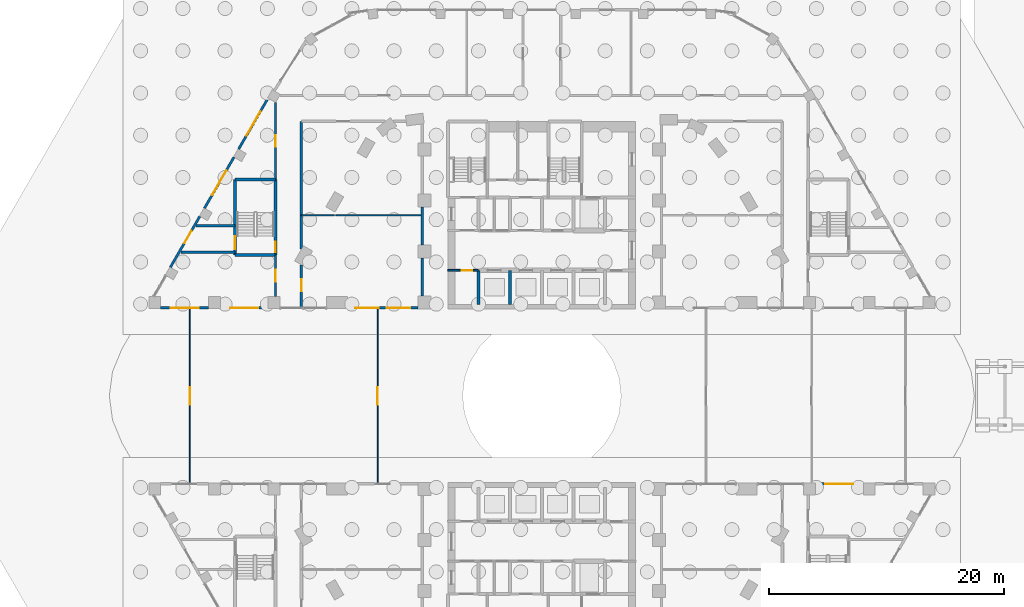
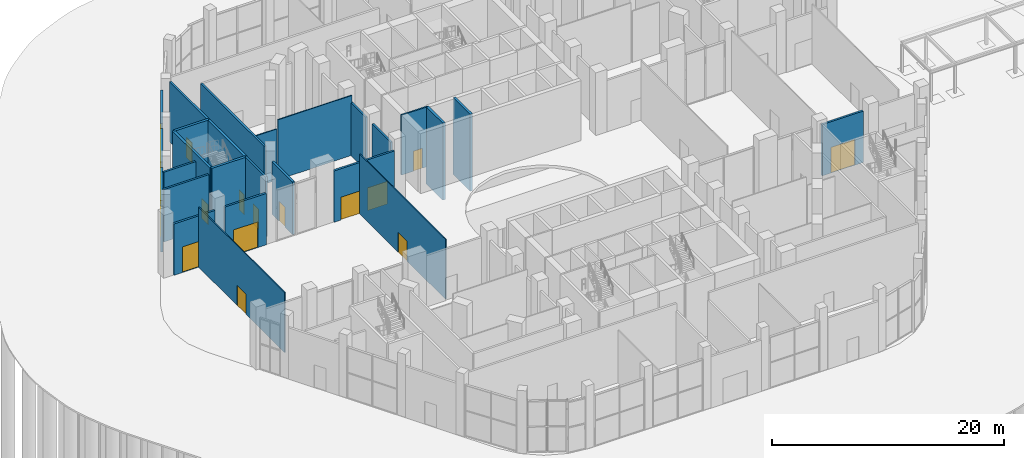
# One storey, part 27 of 44: 26 walls, 16 doors, 16 openings.
"""IFC4 building model written with IfcOpenShell, lengths in metres."""

from ifc_helpers import new_model, si_unit, direction, frame, frame_2d, origin, place, context, subcontext, project, spatial, rectangle, extrude, material, layer, layer_set, type_object, element, fill, save


model = new_model("IFC4")

# Units and contexts
model_context = context("Model", 3, precision=1e-05, world=origin(), true_north=direction((0.0, 1.0)))
body_context = subcontext(model_context, "Body", "Model", "MODEL_VIEW")
ifc_project = project(units=[si_unit("LENGTHUNIT", "METRE"), si_unit("AREAUNIT", "SQUARE_METRE"), si_unit("VOLUMEUNIT", "CUBIC_METRE"), si_unit("PLANEANGLEUNIT", "RADIAN"), si_unit("MASSUNIT", "GRAM", prefix="KILO")], contexts=[model_context])

# Site, building, storey
site_placement = place(None, origin())
site = spatial("IfcSite", under=ifc_project, at=site_placement, CompositionType="ELEMENT")
building_placement = place(site_placement, origin())
building = spatial("IfcBuilding", under=site, at=building_placement, Name="Nakaniwa Court", CompositionType="ELEMENT")
storey_placement = place(building_placement, origin())
storey = spatial("IfcBuildingStorey", under=building, at=storey_placement, Name="L00", CompositionType="ELEMENT", Elevation=0.0)

# Wall, opening, door
ifc_material_1 = material(Name="Acoustic double stud partition")
ifc_layer_1 = layer(ifc_material_1, 0.199951171875)
ifc_layer_set_1 = layer_set([ifc_layer_1], Name="Acoustic double stud partition")
wall_type_1 = type_object("IfcWallType", Name="Acoustic double stud partition 200", PredefinedType="PARTITIONING", material=ifc_layer_set_1)
wall_1_placement = place(storey_placement, frame((57.300048828125, 88.467041015625, 0.0), z_axis=(0.0, 0.0, 1.0), x_axis=(0.0, 1.0, 0.0)))
wall_1 = element("IfcWall", 1, at=wall_1_placement, inside=storey, type_object=wall_type_1, Name="Partition PW-093", PredefinedType="PARTITIONING", context=body_context, shape_type="SweptSolid", body=[
    extrude(rectangle(XDim=3.535888671875, YDim=0.199951171875, at=frame_2d((1.76806640625, 0.0))), origin(), (0.0, 0.0, 1.0), 6.300048828125),
])
opening_1_placement = place(wall_1_placement, frame((1.26806640625, 0.0, 0.0)))
opening_1 = element("IfcOpeningElement", 2, at=opening_1_placement, cuts=wall_1, Name="Opening D-02-01", PredefinedType="OPENING", context=body_context, shape_type="SweptSolid", body=[
    extrude(rectangle(XDim=1.0, YDim=2.10009765625, at=frame_2d((0.5, 1.050048828125))), frame((0.0, 0.10986328125, 0.0), z_axis=(0.0, -1.0, 0.0), x_axis=(1.0, 0.0, 0.0)), (0.0, 0.0, 1.0), 0.219970703125),
])
ifc_material_2 = material(Name="Solid core timber door set, black veneer", Category="wood")
door_type_1 = type_object("IfcDoorType", Name="Internal door 1000", OperationType="NOTDEFINED", PredefinedType="DOOR", material=ifc_material_2)
door_1_placement = place(opening_1_placement, origin())
door_1 = element("IfcDoor", 3, at=door_1_placement, inside=storey, type_object=door_type_1, Name="Door D-02-01 L00-032", OperationType="SINGLE_SWING_LEFT", OverallHeight=2.10009765625, OverallWidth=1.0, PredefinedType="DOOR", context=body_context, shape_type="SweptSolid", body=[
    extrude(rectangle(XDim=1.0, YDim=2.10009765625, at=frame_2d((0.5, 1.050048828125))), frame((0.0, 0.02490234375, 0.0), z_axis=(0.0, -1.0, 0.0), x_axis=(1.0, 0.0, 0.0)), (0.0, 0.0, 1.0), 0.050048828125),
])
fill(opening_1, door_1)

wall_2_placement = place(storey_placement, frame((57.300048828125, 98.447021484375, 0.0), z_axis=(0.0, 0.0, 1.0), x_axis=(0.0, 1.0, 0.0)))
wall_2 = element("IfcWall", 4, at=wall_2_placement, inside=storey, type_object=wall_type_1, Name="Partition PW-094", PredefinedType="PARTITIONING", context=body_context, shape_type="SweptSolid", body=[
    extrude(rectangle(XDim=6.544189453125, YDim=0.199951171875, at=frame_2d((3.27197265625, 0.0))), origin(), (0.0, 0.0, 1.0), 6.300048828125),
])
opening_2_placement = place(wall_2_placement, frame((2.77197265625, 0.0, 0.0)))
opening_2 = element("IfcOpeningElement", 5, at=opening_2_placement, cuts=wall_2, Name="Opening D-02-02", PredefinedType="OPENING", context=body_context, shape_type="SweptSolid", body=[
    extrude(rectangle(XDim=1.0, YDim=2.10009765625, at=frame_2d((0.5, 1.050048828125))), frame((0.0, 0.10986328125, 0.0), z_axis=(0.0, -1.0, 0.0), x_axis=(1.0, 0.0, 0.0)), (0.0, 0.0, 1.0), 0.219970703125),
])
door_2_placement = place(opening_2_placement, origin())
door_2 = element("IfcDoor", 6, at=door_2_placement, inside=storey, type_object=door_type_1, Name="Door D-02-02 L00-033", OperationType="SINGLE_SWING_RIGHT", OverallHeight=2.10009765625, OverallWidth=1.0, PredefinedType="DOOR", context=body_context, shape_type="SweptSolid", body=[
    extrude(rectangle(XDim=1.0, YDim=2.10009765625, at=frame_2d((0.5, 1.050048828125))), frame((0.0, 0.02490234375, 0.0), z_axis=(0.0, -1.0, 0.0), x_axis=(1.0, 0.0, 0.0)), (0.0, 0.0, 1.0), 0.050048828125),
])
fill(opening_2, door_2)

wall_3_placement = place(storey_placement, frame((59.5, 91.149169921875, 0.0), z_axis=(0.0, 0.0, 1.0), x_axis=(0.0, -1.0, 0.0)))
wall_3 = element("IfcWall", 7, at=wall_3_placement, inside=storey, type_object=wall_type_1, Name="Partition PW-097", PredefinedType="PARTITIONING", context=body_context, shape_type="SweptSolid", body=[
    extrude(rectangle(XDim=3.569091796875, YDim=0.199951171875, at=frame_2d((1.78466796875, 0.0))), origin(), (0.0, 0.0, 1.0), 5.530029296875),
])
opening_3_placement = place(wall_3_placement, frame((1.22607421875, 0.0, 0.0)))
opening_3 = element("IfcOpeningElement", 8, at=opening_3_placement, cuts=wall_3, Name="Opening D-02-11", PredefinedType="OPENING", context=body_context, shape_type="SweptSolid", body=[
    extrude(rectangle(XDim=1.0, YDim=2.10009765625, at=frame_2d((0.5, 1.050048828125))), frame((0.0, 0.10986328125, 0.0), z_axis=(0.0, -1.0, 0.0), x_axis=(1.0, 0.0, 0.0)), (0.0, 0.0, 1.0), 0.219970703125),
])
door_3_placement = place(opening_3_placement, origin())
door_3 = element("IfcDoor", 9, at=door_3_placement, inside=storey, type_object=door_type_1, Name="Door D-02-11 L00-042", OperationType="SINGLE_SWING_LEFT", OverallHeight=2.10009765625, OverallWidth=1.0, PredefinedType="DOOR", context=body_context, shape_type="SweptSolid", body=[
    extrude(rectangle(XDim=1.0, YDim=2.10009765625, at=frame_2d((0.5, 1.050048828125))), frame((0.0, 0.02490234375, 0.0), z_axis=(0.0, -1.0, 0.0), x_axis=(1.0, 0.0, 0.0)), (0.0, 0.0, 1.0), 0.050048828125),
])
fill(opening_3, door_3)

# Walls
wall_4_placement = place(storey_placement, frame((59.5, 92.52978515625, 0.0), z_axis=(0.0, 0.0, 1.0), x_axis=(0.0, 1.0, 0.0)))
element("IfcWall", 10, at=wall_4_placement, inside=storey, type_object=wall_type_1, Name="Partition PW-098", PredefinedType="PARTITIONING", context=body_context, shape_type="SweptSolid", body=[
    extrude(rectangle(XDim=10.873291015625, YDim=0.199951171875, at=frame_2d((5.4365234375, 0.0))), origin(), (0.0, 0.0, 1.0), 6.300048828125),
])
wall_5_placement = place(storey_placement, frame((69.800048828125, 88.51708984375, 0.0), z_axis=(0.0, 0.0, 1.0), x_axis=(0.0, 1.0, 0.0)))
element("IfcWall", 11, at=wall_5_placement, inside=storey, type_object=wall_type_1, Name="Partition PW-119", PredefinedType="PARTITIONING", context=body_context, shape_type="SweptSolid", body=[
    extrude(rectangle(XDim=3.2158203125, YDim=0.199951171875, at=frame_2d((1.60791015625, 0.0))), origin(), (0.0, 0.0, 1.0), 5.530029296875),
])
wall_6_placement = place(storey_placement, frame((69.800048828125, 92.866943359375, 0.0), z_axis=(0.0, 0.0, 1.0), x_axis=(0.0, 1.0, 0.0)))
element("IfcWall", 12, at=wall_6_placement, inside=storey, type_object=wall_type_1, Name="Partition PW-120", PredefinedType="PARTITIONING", context=body_context, shape_type="SweptSolid", body=[
    extrude(rectangle(XDim=3.216064453125, YDim=0.199951171875, at=frame_2d((1.60791015625, 0.0))), origin(), (0.0, 0.0, 1.0), 5.530029296875),
])
wall_7_placement = place(storey_placement, frame((49.228515625, 92.25, 0.0), z_axis=(0.0, 0.0, 1.0), x_axis=(1.0, 0.0, 0.0)))
element("IfcWall", 13, at=wall_7_placement, inside=storey, type_object=wall_type_1, Name="Partition PW-126", PredefinedType="PARTITIONING", context=body_context, shape_type="SweptSolid", body=[
    extrude(rectangle(XDim=4.62158203125, YDim=0.199951171875, at=frame_2d((2.310791015625, 0.0))), origin(), (0.0, 0.0, 1.0), 5.530029296875),
])
wall_8_placement = place(storey_placement, frame((50.52734375, 94.5, 0.0), z_axis=(0.0, 0.0, 1.0), x_axis=(1.0, 0.0, 0.0)))
element("IfcWall", 14, at=wall_8_placement, inside=storey, type_object=wall_type_1, Name="Partition PW-131", PredefinedType="PARTITIONING", context=body_context, shape_type="SweptSolid", body=[
    extrude(rectangle(XDim=3.32275390625, YDim=0.199951171875, at=frame_2d((1.661376953125, 0.0))), origin(), (0.0, 0.0, 1.0), 5.530029296875),
])

# Wall, opening, door
ifc_material_3 = material(Name="Charcoal ceramic cladding")
ifc_layer_2 = layer(ifc_material_3, 0.02, Name="Ceramic cladding")
ifc_material_4 = material(Name="Ventilated air cavity")
ifc_layer_3 = layer(ifc_material_4, 0.04, ventilated=True, Name="Ventilated cavity")
ifc_material_5 = material(Name="Mineral wool insulation")
ifc_layer_4 = layer(ifc_material_5, 0.05, Name="Insulation")
ifc_material_6 = material(Name="Cement bonded sheathing board")
ifc_layer_5 = layer(ifc_material_6, 0.012, Name="Sheathing")
ifc_material_7 = material(Name="Cold-formed galvanised stud frame with mineral wool infill")
ifc_layer_6 = layer(ifc_material_7, 0.05, Name="Stud frame")
ifc_material_8 = material(Name="Fire-rated gypsum plasterboard lining")
ifc_layer_7 = layer(ifc_material_8, 0.028, Name="Lining")
ifc_layer_set_2 = layer_set([ifc_layer_2, ifc_layer_3, ifc_layer_4, ifc_layer_5, ifc_layer_6, ifc_layer_7], Name="Charcoal ceramic faced external wall system")
wall_type_2 = type_object("IfcWallType", Name="Black ceramic faced external wall 200", PredefinedType="SOLIDWALL", material=ifc_layer_set_2)
wall_9_placement = place(storey_placement, frame((107.4130859375, 72.5, 0.0), z_axis=(0.0, 0.0, 1.0), x_axis=(-1.0, 0.0, 0.0)))
wall_9 = element("IfcWall", 15, at=wall_9_placement, inside=storey, type_object=wall_type_2, Name="L00 entrance wall 05", PredefinedType="SOLIDWALL", context=body_context, shape_type="SweptSolid", body=[
    extrude(rectangle(XDim=4.093994140625, YDim=0.199951171875, at=frame_2d((2.046875, 0.0))), origin(), (0.0, 0.0, 1.0), 5.39990234375),
])
opening_4_placement = place(wall_9_placement, frame((0.846923828125, 0.0, 0.0)))
opening_4 = element("IfcOpeningElement", 16, at=opening_4_placement, cuts=wall_9, Name="Opening XD2.03", PredefinedType="OPENING", context=body_context, shape_type="SweptSolid", body=[
    extrude(rectangle(XDim=2.39990234375, YDim=2.699951171875, at=frame_2d((1.199951171875, 1.35009765625))), frame((0.0, 0.10986328125, 0.0), z_axis=(0.0, -1.0, 0.0), x_axis=(1.0, 0.0, 0.0)), (0.0, 0.0, 1.0), 0.219970703125),
])
ifc_material_9 = material(Name="Black powder-coated aluminium frame with dark laminated glass", Category="aluminium")
door_type_2 = type_object("IfcDoorType", Name="Residents entrance double door 2400x2700", OperationType="DOUBLE_DOOR_DOUBLE_SWING", PredefinedType="DOOR", material=ifc_material_9)
door_4_placement = place(opening_4_placement, origin())
door_4 = element("IfcDoor", 17, at=door_4_placement, inside=storey, type_object=door_type_2, Name="L00 residents entrance double door 05-0", OperationType="DOUBLE_DOOR_DOUBLE_SWING", OverallHeight=2.699951171875, OverallWidth=2.39990234375, PredefinedType="DOOR", context=body_context, shape_type="SweptSolid", body=[
    extrude(rectangle(XDim=2.39990234375, YDim=2.699951171875, at=frame_2d((1.199951171875, 1.35009765625))), frame((0.0, 0.02490234375, 0.0), z_axis=(0.0, -1.0, 0.0), x_axis=(1.0, 0.0, 0.0)), (0.0, 0.0, 1.0), 0.050048828125),
])
fill(opening_4, door_4)

wall_10_placement = place(storey_placement, frame((56.664794921875, 105.382080078125, 0.0), z_axis=(0.0, 0.0, 1.0), x_axis=(-0.500011252833, -0.866018906861, 0.0)))
wall_10 = element("IfcWall", 18, at=wall_10_placement, inside=storey, type_object=wall_type_2, Name="L00 entrance wall 27", PredefinedType="SOLIDWALL", context=body_context, shape_type="SweptSolid", body=[
    extrude(rectangle(XDim=5.02490234375, YDim=0.199951171875, at=frame_2d((2.512451171875, 0.0))), origin(), (0.0, 0.0, 1.0), 5.39990234375),
])
opening_5_placement = place(wall_10_placement, frame((1.3125, 0.0, 0.0)))
opening_5 = element("IfcOpeningElement", 19, at=opening_5_placement, cuts=wall_10, Name="Opening XD6.10", PredefinedType="OPENING", context=body_context, shape_type="SweptSolid", body=[
    extrude(rectangle(XDim=2.39990234375, YDim=2.699951171875, at=frame_2d((1.199951171875, 1.35009765625))), frame((0.0, 0.10986328125, 0.0), z_axis=(0.0, -1.0, 0.0), x_axis=(1.0, 0.0, 0.0)), (0.0, 0.0, 1.0), 0.219970703125),
])
door_type_3 = type_object("IfcDoorType", Name="Reception entrance double door 2400x2700", OperationType="DOUBLE_DOOR_DOUBLE_SWING", PredefinedType="DOOR", material=ifc_material_9)
door_5_placement = place(opening_5_placement, frame((2.39990234375, 0.0, 0.0), z_axis=(0.0, 0.0, 1.0), x_axis=(-1.0, 0.0, 0.0)))
door_5 = element("IfcDoor", 20, at=door_5_placement, inside=storey, type_object=door_type_3, Name="L00 reception entrance double door 27-0", OperationType="DOUBLE_DOOR_DOUBLE_SWING", OverallHeight=2.699951171875, OverallWidth=2.39990234375, PredefinedType="DOOR", context=body_context, shape_type="SweptSolid", body=[
    extrude(rectangle(XDim=2.39990234375, YDim=2.699951171875, at=frame_2d((1.199951171875, 1.35009765625))), frame((0.0, 0.02490234375, 0.0), z_axis=(0.0, -1.0, 0.0), x_axis=(1.0, 0.0, 0.0)), (0.0, 0.0, 1.0), 0.050048828125),
])
fill(opening_5, door_5)

wall_11_placement = place(storey_placement, frame((53.75634765625, 100.3447265625, 0.0), z_axis=(0.0, 0.0, 1.0), x_axis=(-0.500011252833, -0.866018906861, 0.0)))
wall_11 = element("IfcWall", 21, at=wall_11_placement, inside=storey, type_object=wall_type_2, Name="L00 entrance wall 28", PredefinedType="SOLIDWALL", context=body_context, shape_type="SweptSolid", body=[
    extrude(rectangle(XDim=5.02490234375, YDim=0.199951171875, at=frame_2d((2.512451171875, 0.0))), origin(), (0.0, 0.0, 1.0), 5.39990234375),
])
opening_6_placement = place(wall_11_placement, frame((1.3125, 0.0, 0.0)))
opening_6 = element("IfcOpeningElement", 22, at=opening_6_placement, cuts=wall_11, Name="Opening XD6.11", PredefinedType="OPENING", context=body_context, shape_type="SweptSolid", body=[
    extrude(rectangle(XDim=2.39990234375, YDim=2.699951171875, at=frame_2d((1.199951171875, 1.35009765625))), frame((0.0, 0.10986328125, 0.0), z_axis=(0.0, -1.0, 0.0), x_axis=(1.0, 0.0, 0.0)), (0.0, 0.0, 1.0), 0.219970703125),
])
door_6_placement = place(opening_6_placement, frame((2.39990234375, 0.0, 0.0), z_axis=(0.0, 0.0, 1.0), x_axis=(-1.0, 0.0, 0.0)))
door_6 = element("IfcDoor", 23, at=door_6_placement, inside=storey, type_object=door_type_3, Name="L00 reception entrance double door 28-0", OperationType="DOUBLE_DOOR_DOUBLE_SWING", OverallHeight=2.699951171875, OverallWidth=2.39990234375, PredefinedType="DOOR", context=body_context, shape_type="SweptSolid", body=[
    extrude(rectangle(XDim=2.39990234375, YDim=2.699951171875, at=frame_2d((1.199951171875, 1.35009765625))), frame((0.0, 0.02490234375, 0.0), z_axis=(0.0, -1.0, 0.0), x_axis=(1.0, 0.0, 0.0)), (0.0, 0.0, 1.0), 0.050048828125),
])
fill(opening_6, door_6)

wall_12_placement = place(storey_placement, frame((50.847900390625, 95.307373046875, 0.0), z_axis=(0.0, 0.0, 1.0), x_axis=(-0.499953773667, -0.866052090925, 0.0)))
wall_12 = element("IfcWall", 24, at=wall_12_placement, inside=storey, type_object=wall_type_2, Name="L00 entrance wall 29", PredefinedType="SOLIDWALL", context=body_context, shape_type="SweptSolid", body=[
    extrude(rectangle(XDim=5.02490234375, YDim=0.199951171875, at=frame_2d((2.512451171875, 0.0))), origin(), (0.0, 0.0, 1.0), 5.39990234375),
])
opening_7_placement = place(wall_12_placement, frame((1.4580078125, 0.0, 0.0)))
opening_7 = element("IfcOpeningElement", 25, at=opening_7_placement, cuts=wall_12, Name="Opening XD1.12", PredefinedType="OPENING", context=body_context, shape_type="SweptSolid", body=[
    extrude(rectangle(XDim=1.199951171875, YDim=2.39990234375, at=frame_2d((0.60009765625, 1.199951171875))), frame((0.0, 0.10986328125, 0.0), z_axis=(0.0, -1.0, 0.0), x_axis=(1.0, 0.0, 0.0)), (0.0, 0.0, 1.0), 0.219970703125),
])
door_type_4 = type_object("IfcDoorType", Name="Stair exit door 1200x2400", OperationType="SINGLE_SWING_LEFT", PredefinedType="DOOR", material=ifc_material_9)
door_7_placement = place(opening_7_placement, frame((1.199951171875, 0.0, 0.0), z_axis=(0.0, 0.0, 1.0), x_axis=(-1.0, 0.0, 0.0)))
door_7 = element("IfcDoor", 26, at=door_7_placement, inside=storey, type_object=door_type_4, Name="L00 stair exit door 29-0", OperationType="SINGLE_SWING_LEFT", OverallHeight=2.39990234375, OverallWidth=1.199951171875, PredefinedType="DOOR", context=body_context, shape_type="SweptSolid", body=[
    extrude(rectangle(XDim=1.199951171875, YDim=2.39990234375, at=frame_2d((0.60009765625, 1.199951171875))), frame((0.0, 0.02490234375, 0.0), z_axis=(0.0, -1.0, 0.0), x_axis=(1.0, 0.0, 0.0)), (0.0, 0.0, 1.0), 0.050048828125),
])
fill(opening_7, door_7)

wall_13_placement = place(storey_placement, frame((47.5, 87.5, 0.0), z_axis=(0.0, 0.0, 1.0), x_axis=(1.0, 0.0, 0.0)))
wall_13 = element("IfcWall", 27, at=wall_13_placement, inside=storey, type_object=wall_type_2, Name="L00 entrance wall 31", PredefinedType="SOLIDWALL", context=body_context, shape_type="SweptSolid", body=[
    extrude(rectangle(XDim=4.094970703125, YDim=0.199951171875, at=frame_2d((2.04736328125, 0.0))), origin(), (0.0, 0.0, 1.0), 5.39990234375),
])
opening_8_placement = place(wall_13_placement, frame((0.847412109375, 0.0, 0.0)))
opening_8 = element("IfcOpeningElement", 28, at=opening_8_placement, cuts=wall_13, Name="Opening XD5.13", PredefinedType="OPENING", context=body_context, shape_type="SweptSolid", body=[
    extrude(rectangle(XDim=2.39990234375, YDim=2.699951171875, at=frame_2d((1.199951171875, 1.35009765625))), frame((0.0, 0.10986328125, 0.0), z_axis=(0.0, -1.0, 0.0), x_axis=(1.0, 0.0, 0.0)), (0.0, 0.0, 1.0), 0.219970703125),
])
door_type_5 = type_object("IfcDoorType", Name="Entrance double door 2400x2700", OperationType="DOUBLE_DOOR_DOUBLE_SWING", PredefinedType="DOOR", material=ifc_material_9)
door_8_placement = place(opening_8_placement, origin())
door_8 = element("IfcDoor", 29, at=door_8_placement, inside=storey, type_object=door_type_5, Name="L00 entrance double door 31-0", OperationType="DOUBLE_DOOR_DOUBLE_SWING", OverallHeight=2.699951171875, OverallWidth=2.39990234375, PredefinedType="DOOR", context=body_context, shape_type="SweptSolid", body=[
    extrude(rectangle(XDim=2.39990234375, YDim=2.699951171875, at=frame_2d((1.199951171875, 1.35009765625))), frame((0.0, 0.02490234375, 0.0), z_axis=(0.0, -1.0, 0.0), x_axis=(1.0, 0.0, 0.0)), (0.0, 0.0, 1.0), 0.050048828125),
])
fill(opening_8, door_8)

wall_14_placement = place(storey_placement, frame((52.5869140625, 87.5, 0.0), z_axis=(0.0, 0.0, 1.0), x_axis=(1.0, 0.0, 0.0)))
wall_14 = element("IfcWall", 30, at=wall_14_placement, inside=storey, type_object=wall_type_2, Name="L00 entrance wall 32", PredefinedType="SOLIDWALL", context=body_context, shape_type="SweptSolid", body=[
    extrude(rectangle(XDim=4.093994140625, YDim=0.199951171875, at=frame_2d((2.046875, 0.0))), origin(), (0.0, 0.0, 1.0), 5.39990234375),
])
opening_9_placement = place(wall_14_placement, frame((0.846923828125, 0.0, 0.0)))
opening_9 = element("IfcOpeningElement", 31, at=opening_9_placement, cuts=wall_14, Name="Opening XD5.14", PredefinedType="OPENING", context=body_context, shape_type="SweptSolid", body=[
    extrude(rectangle(XDim=2.39990234375, YDim=2.699951171875, at=frame_2d((1.199951171875, 1.35009765625))), frame((0.0, 0.10986328125, 0.0), z_axis=(0.0, -1.0, 0.0), x_axis=(1.0, 0.0, 0.0)), (0.0, 0.0, 1.0), 0.219970703125),
])
door_9_placement = place(opening_9_placement, origin())
door_9 = element("IfcDoor", 32, at=door_9_placement, inside=storey, type_object=door_type_5, Name="L00 entrance double door 32-0", OperationType="DOUBLE_DOOR_DOUBLE_SWING", OverallHeight=2.699951171875, OverallWidth=2.39990234375, PredefinedType="DOOR", context=body_context, shape_type="SweptSolid", body=[
    extrude(rectangle(XDim=2.39990234375, YDim=2.699951171875, at=frame_2d((1.199951171875, 1.35009765625))), frame((0.0, 0.02490234375, 0.0), z_axis=(0.0, -1.0, 0.0), x_axis=(1.0, 0.0, 0.0)), (0.0, 0.0, 1.0), 0.050048828125),
])
fill(opening_9, door_9)

# Wall, openings, doors
wall_15_placement = place(storey_placement, frame((63.43798828125, 87.5, 0.0), z_axis=(0.0, 0.0, 1.0), x_axis=(1.0, 0.0, 0.0)))
wall_15 = element("IfcWall", 33, at=wall_15_placement, inside=storey, type_object=wall_type_2, Name="L00 entrance wall 34", PredefinedType="SOLIDWALL", context=body_context, shape_type="SweptSolid", body=[
    extrude(rectangle(XDim=6.01611328125, YDim=0.199951171875, at=frame_2d((3.008056640625, 0.0))), origin(), (0.0, 0.0, 1.0), 5.39990234375),
])
opening_10_placement = place(wall_15_placement, frame((0.654052734375, 0.0, 0.0)))
opening_10 = element("IfcOpeningElement", 34, at=opening_10_placement, cuts=wall_15, Name="Opening XD7.15", PredefinedType="OPENING", context=body_context, shape_type="SweptSolid", body=[
    extrude(rectangle(XDim=2.0, YDim=2.39990234375, at=frame_2d((1.0, 1.199951171875))), frame((0.0, 0.10986328125, 0.0), z_axis=(0.0, -1.0, 0.0), x_axis=(1.0, 0.0, 0.0)), (0.0, 0.0, 1.0), 0.219970703125),
])
opening_11_placement = place(wall_15_placement, frame((3.362060546875, 0.0, 0.0)))
opening_11 = element("IfcOpeningElement", 35, at=opening_11_placement, cuts=wall_15, Name="Opening XD7.16", PredefinedType="OPENING", context=body_context, shape_type="SweptSolid", body=[
    extrude(rectangle(XDim=2.0, YDim=2.39990234375, at=frame_2d((1.0, 1.199951171875))), frame((0.0, 0.10986328125, 0.0), z_axis=(0.0, -1.0, 0.0), x_axis=(1.0, 0.0, 0.0)), (0.0, 0.0, 1.0), 0.219970703125),
])
door_type_6 = type_object("IfcDoorType", Name="Shopfront double door 2000x2400", OperationType="DOUBLE_DOOR_DOUBLE_SWING", PredefinedType="DOOR", material=ifc_material_9)
door_10_placement = place(opening_10_placement, origin())
door_10 = element("IfcDoor", 36, at=door_10_placement, inside=storey, type_object=door_type_6, Name="L00 shopfront double door 34-0", OperationType="DOUBLE_DOOR_DOUBLE_SWING", OverallHeight=2.39990234375, OverallWidth=2.0, PredefinedType="DOOR", context=body_context, shape_type="SweptSolid", body=[
    extrude(rectangle(XDim=2.0, YDim=2.39990234375, at=frame_2d((1.0, 1.199951171875))), frame((0.0, 0.02490234375, 0.0), z_axis=(0.0, -1.0, 0.0), x_axis=(1.0, 0.0, 0.0)), (0.0, 0.0, 1.0), 0.050048828125),
])
fill(opening_10, door_10)
door_11_placement = place(opening_11_placement, origin())
door_11 = element("IfcDoor", 37, at=door_11_placement, inside=storey, type_object=door_type_6, Name="L00 shopfront double door 34-1", OperationType="DOUBLE_DOOR_DOUBLE_SWING", OverallHeight=2.39990234375, OverallWidth=2.0, PredefinedType="DOOR", context=body_context, shape_type="SweptSolid", body=[
    extrude(rectangle(XDim=2.0, YDim=2.39990234375, at=frame_2d((1.0, 1.199951171875))), frame((0.0, 0.02490234375, 0.0), z_axis=(0.0, -1.0, 0.0), x_axis=(1.0, 0.0, 0.0)), (0.0, 0.0, 1.0), 0.050048828125),
])
fill(opening_11, door_11)

# Wall, opening, door
ifc_material_10 = material(Name="Blockwork partition", Category="masonry")
ifc_layer_8 = layer(ifc_material_10, 0.14990234375)
ifc_layer_set_3 = layer_set([ifc_layer_8], Name="Blockwork partition")
wall_type_3 = type_object("IfcWallType", Name="Blockwork partition 150", PredefinedType="PARTITIONING", material=ifc_layer_set_3)
wall_16_placement = place(storey_placement, frame((74.60009765625, 90.699951171875, 0.0), z_axis=(0.0, 0.0, 1.0), x_axis=(-1.0, 0.0, 0.0)))
wall_16 = element("IfcWall", 38, at=wall_16_placement, inside=storey, type_object=wall_type_3, Name="Partition PW-003", PredefinedType="PARTITIONING", context=body_context, shape_type="SweptSolid", body=[
    extrude(rectangle(XDim=2.60009765625, YDim=0.14990234375, at=frame_2d((1.300048828125, 0.0))), origin(), (0.0, 0.0, 1.0), 6.300048828125),
])
opening_12_placement = place(wall_16_placement, frame((0.52490234375, 0.0, 0.0)))
opening_12 = element("IfcOpeningElement", 39, at=opening_12_placement, cuts=wall_16, Name="Opening D-05-01", PredefinedType="OPENING", context=body_context, shape_type="SweptSolid", body=[
    extrude(rectangle(XDim=0.89990234375, YDim=2.10009765625, at=frame_2d((0.449951171875, 1.050048828125))), frame((0.0, 0.0849609375, 0.0), z_axis=(0.0, -1.0, 0.0), x_axis=(1.0, 0.0, 0.0)), (0.0, 0.0, 1.0), 0.169921875),
])
ifc_material_11 = material(Name="Fire rated steel door set", Category="steel")
door_type_7 = type_object("IfcDoorType", Name="Service room door 900", OperationType="NOTDEFINED", PredefinedType="DOOR", material=ifc_material_11)
door_12_placement = place(opening_12_placement, origin())
door_12 = element("IfcDoor", 40, at=door_12_placement, inside=storey, type_object=door_type_7, Name="Door D-05-01 L00-001", OperationType="SINGLE_SWING_RIGHT", OverallHeight=2.10009765625, OverallWidth=0.89990234375, PredefinedType="DOOR", context=body_context, shape_type="SweptSolid", body=[
    extrude(rectangle(XDim=0.89990234375, YDim=2.10009765625, at=frame_2d((0.449951171875, 1.050048828125))), frame((0.0, 0.02490234375, 0.0), z_axis=(0.0, -1.0, 0.0), x_axis=(1.0, 0.0, 0.0)), (0.0, 0.0, 1.0), 0.050048828125),
])
fill(opening_12, door_12)

ifc_material_12 = material(Name="Concrete C100/115", Category="concrete")
ifc_layer_9 = layer(ifc_material_12, 0.25)
ifc_layer_set_4 = layer_set([ifc_layer_9], Name="Concrete C100/115")
wall_type_4 = type_object("IfcWallType", Name="Concrete core wall 250 C100", PredefinedType="SHEAR", material=ifc_layer_set_4)
wall_17_placement = place(storey_placement, frame((57.300048828125, 98.452880859375, -1.800048828125), z_axis=(0.0, 0.0, 1.0), x_axis=(0.0, -1.0, 0.0)))
wall_17 = element("IfcWall", 41, at=wall_17_placement, inside=storey, type_object=wall_type_4, Name="Core wall SW-90", PredefinedType="SHEAR", context=body_context, shape_type="SweptSolid", body=[
    extrude(rectangle(XDim=6.455810546875, YDim=0.25, at=frame_2d((3.22802734375, 0.0))), origin(), (0.0, 0.0, 1.0), 8.10009765625),
])
opening_13_placement = place(wall_17_placement, frame((5.305908203125, 0.0, 1.800048828125)))
opening_13 = element("IfcOpeningElement", 42, at=opening_13_placement, cuts=wall_17, Name="Opening D-11-04", PredefinedType="OPENING", context=body_context, shape_type="SweptSolid", body=[
    extrude(rectangle(XDim=0.89990234375, YDim=2.10009765625, at=frame_2d((0.449951171875, 1.050048828125))), frame((0.0, 0.135009765625, 0.0), z_axis=(0.0, -1.0, 0.0), x_axis=(1.0, 0.0, 0.0)), (0.0, 0.0, 1.0), 0.27001953125),
])
door_type_8 = type_object("IfcDoorType", Name="Stair door 900", OperationType="NOTDEFINED", PredefinedType="DOOR", material=ifc_material_11)
door_13_placement = place(opening_13_placement, origin())
door_13 = element("IfcDoor", 43, at=door_13_placement, inside=storey, type_object=door_type_8, Name="Door D-11-04 L00-031", OperationType="SINGLE_SWING_LEFT", OverallHeight=2.10009765625, OverallWidth=0.89990234375, PredefinedType="DOOR", context=body_context, shape_type="SweptSolid", body=[
    extrude(rectangle(XDim=0.89990234375, YDim=2.10009765625, at=frame_2d((0.449951171875, 1.050048828125))), frame((0.0, 0.02490234375, 0.0), z_axis=(0.0, -1.0, 0.0), x_axis=(1.0, 0.0, 0.0)), (0.0, 0.0, 1.0), 0.050048828125),
])
fill(opening_13, door_13)

wall_18_placement = place(storey_placement, frame((53.85009765625, 92.0, -1.800048828125), z_axis=(0.0, 0.0, 1.0), x_axis=(0.0, 1.0, 0.0)))
wall_18 = element("IfcWall", 44, at=wall_18_placement, inside=storey, type_object=wall_type_4, Name="Core wall SW-130", PredefinedType="SHEAR", context=body_context, shape_type="SweptSolid", body=[
    extrude(rectangle(XDim=6.449951171875, YDim=0.25, at=frame_2d((3.22509765625, 0.0))), origin(), (0.0, 0.0, 1.0), 8.10009765625),
])
opening_14_placement = place(wall_18_placement, frame((0.5, 0.0, 1.800048828125)))
opening_14 = element("IfcOpeningElement", 45, at=opening_14_placement, cuts=wall_18, Name="Opening D-09-05", PredefinedType="OPENING", context=body_context, shape_type="SweptSolid", body=[
    extrude(rectangle(XDim=1.10009765625, YDim=2.10009765625, at=frame_2d((0.550048828125, 1.050048828125))), frame((0.0, 0.135009765625, 0.0), z_axis=(0.0, -1.0, 0.0), x_axis=(1.0, 0.0, 0.0)), (0.0, 0.0, 1.0), 0.27001953125),
])
door_type_9 = type_object("IfcDoorType", Name="Stair door 1100", OperationType="NOTDEFINED", PredefinedType="DOOR", material=ifc_material_11)
door_14_placement = place(opening_14_placement, origin())
door_14 = element("IfcDoor", 46, at=door_14_placement, inside=storey, type_object=door_type_9, Name="Door D-09-05 L00-030", OperationType="SINGLE_SWING_RIGHT", OverallHeight=2.10009765625, OverallWidth=1.10009765625, PredefinedType="DOOR", context=body_context, shape_type="SweptSolid", body=[
    extrude(rectangle(XDim=1.10009765625, YDim=2.10009765625, at=frame_2d((0.550048828125, 1.050048828125))), frame((0.0, 0.02490234375, 0.0), z_axis=(0.0, -1.0, 0.0), x_axis=(1.0, 0.0, 0.0)), (0.0, 0.0, 1.0), 0.050048828125),
])
fill(opening_14, door_14)

# Walls
for number, where, z_axis, x_axis, name in (
    (47, (53.85009765625, 92.0, -1.800048828125), (0.0, 0.0, 1.0), (1.0, 0.0, 0.0), "Core wall SW-132"),
    (48, (53.85009765625, 98.449951171875, -1.800048828125), (0.0, 0.0, 1.0), (1.0, 0.0, 0.0), "Core wall SW-134"),
):
    element("IfcWall", number, at=place(storey_placement, frame(where, z_axis=z_axis, x_axis=x_axis)), inside=storey, type_object=wall_type_4, Name=name, PredefinedType="SHEAR", context=body_context, shape_type="SweptSolid", body=[
        extrude(rectangle(XDim=3.449951171875, YDim=0.25, at=frame_2d((1.72509765625, 0.0))), origin(), (0.0, 0.0, 1.0), 8.10009765625),
    ])
ifc_layer_10 = layer(ifc_material_12, 0.25)
ifc_layer_set_5 = layer_set([ifc_layer_10], Name="Concrete C100/115")
wall_type_5 = type_object("IfcWallType", Name="Concrete shaft wall 250 C100", PredefinedType="SHEAR", material=ifc_layer_set_5)
for number, where, z_axis, x_axis, name in (
    (49, (74.60009765625, 87.800048828125, -1.800048828125), (0.0, 0.0, 1.0), (0.0, 1.0, 0.0), "Core wall SW-01"),
    (50, (77.300048828125, 87.800048828125, -1.800048828125), (0.0, 0.0, 1.0), (0.0, 1.0, 0.0), "Core wall SW-05"),
):
    element("IfcWall", number, at=place(storey_placement, frame(where, z_axis=z_axis, x_axis=x_axis)), inside=storey, type_object=wall_type_5, Name=name, PredefinedType="SHEAR", context=body_context, shape_type="SweptSolid", body=[
        extrude(rectangle(XDim=2.89990234375, YDim=0.25, at=frame_2d((1.449951171875, 0.0))), origin(), (0.0, 0.0, 1.0), 8.10009765625),
    ])
ifc_material_13 = material(Name="Single stud plasterboard partition")
ifc_layer_11 = layer(ifc_material_13, 0.10009765625)
ifc_layer_set_6 = layer_set([ifc_layer_11], Name="Single stud plasterboard partition")
wall_type_6 = type_object("IfcWallType", Name="Single stud plasterboard partition 100", PredefinedType="PARTITIONING", material=ifc_layer_set_6)
wall_19_placement = place(storey_placement, frame((59.5, 95.39990234375, 0.0), z_axis=(0.0, 0.0, 1.0), x_axis=(1.0, 0.0, 0.0)))
element("IfcWall", 51, at=wall_19_placement, inside=storey, type_object=wall_type_6, Name="Partition PW-138", PredefinedType="PARTITIONING", context=body_context, shape_type="SweptSolid", body=[
    extrude(rectangle(XDim=2.819580078125, YDim=0.10009765625, at=frame_2d((1.40966796875, 0.0))), origin(), (0.0, 0.0, 1.0), 5.3798828125),
])
wall_20_placement = place(storey_placement, frame((62.43359375, 95.39990234375, 0.0), z_axis=(0.0, 0.0, 1.0), x_axis=(1.0, 0.0, 0.0)))
element("IfcWall", 52, at=wall_20_placement, inside=storey, type_object=wall_type_6, Name="Partition PW-139", PredefinedType="PARTITIONING", context=body_context, shape_type="SweptSolid", body=[
    extrude(rectangle(XDim=7.366455078125, YDim=0.10009765625, at=frame_2d((3.68310546875, 0.0))), origin(), (0.0, 0.0, 1.0), 6.300048828125),
])

# Wall, opening, door
wall_21_placement = place(storey_placement, frame((50.0, 72.60009765625, 0.0), z_axis=(0.0, 0.0, 1.0), x_axis=(0.0, 1.0, 0.0)))
wall_21 = element("IfcWall", 53, at=wall_21_placement, inside=storey, type_object=wall_type_6, Name="Partition PW-164", PredefinedType="PARTITIONING", context=body_context, shape_type="SweptSolid", body=[
    extrude(rectangle(XDim=14.7998046875, YDim=0.10009765625, at=frame_2d((7.39990234375, 0.0))), origin(), (0.0, 0.0, 1.0), 6.300048828125),
])
opening_15_placement = place(wall_21_placement, frame((6.64990234375, 0.0, 0.0)))
opening_15 = element("IfcOpeningElement", 54, at=opening_15_placement, cuts=wall_21, Name="Opening D-12-02", PredefinedType="OPENING", context=body_context, shape_type="SweptSolid", body=[
    extrude(rectangle(XDim=1.5, YDim=2.10009765625, at=frame_2d((0.75, 1.050048828125))), frame((0.0, 0.06005859375, 0.0), z_axis=(0.0, -1.0, 0.0), x_axis=(1.0, 0.0, 0.0)), (0.0, 0.0, 1.0), 0.1201171875),
])
ifc_material_14 = material(Name="Glazed timber double door set", Category="wood")
door_type_10 = type_object("IfcDoorType", Name="Double door 1500", OperationType="NOTDEFINED", PredefinedType="DOOR", material=ifc_material_14)
door_15_placement = place(opening_15_placement, origin())
door_15 = element("IfcDoor", 55, at=door_15_placement, inside=storey, type_object=door_type_10, Name="Door D-12-02 L00-064", OperationType="DOUBLE_DOOR_SINGLE_SWING", OverallHeight=2.10009765625, OverallWidth=1.5, PredefinedType="DOOR", context=body_context, shape_type="SweptSolid", body=[
    extrude(rectangle(XDim=1.5, YDim=2.10009765625, at=frame_2d((0.75, 1.050048828125))), frame((0.0, 0.02490234375, 0.0), z_axis=(0.0, -1.0, 0.0), x_axis=(1.0, 0.0, 0.0)), (0.0, 0.0, 1.0), 0.050048828125),
])
fill(opening_15, door_15)

wall_22_placement = place(storey_placement, frame((66.0, 72.60009765625, 0.0), z_axis=(0.0, 0.0, 1.0), x_axis=(0.0, 1.0, 0.0)))
wall_22 = element("IfcWall", 56, at=wall_22_placement, inside=storey, type_object=wall_type_6, Name="Partition PW-165", PredefinedType="PARTITIONING", context=body_context, shape_type="SweptSolid", body=[
    extrude(rectangle(XDim=14.7998046875, YDim=0.10009765625, at=frame_2d((7.39990234375, 0.0))), origin(), (0.0, 0.0, 1.0), 6.300048828125),
])
opening_16_placement = place(wall_22_placement, frame((6.64990234375, 0.0, 0.0)))
opening_16 = element("IfcOpeningElement", 57, at=opening_16_placement, cuts=wall_22, Name="Opening D-12-01", PredefinedType="OPENING", context=body_context, shape_type="SweptSolid", body=[
    extrude(rectangle(XDim=1.5, YDim=2.10009765625, at=frame_2d((0.75, 1.050048828125))), frame((0.0, 0.06005859375, 0.0), z_axis=(0.0, -1.0, 0.0), x_axis=(1.0, 0.0, 0.0)), (0.0, 0.0, 1.0), 0.1201171875),
])
door_16_placement = place(opening_16_placement, origin())
door_16 = element("IfcDoor", 58, at=door_16_placement, inside=storey, type_object=door_type_10, Name="Door D-12-01 L00-063", OperationType="DOUBLE_DOOR_SINGLE_SWING", OverallHeight=2.10009765625, OverallWidth=1.5, PredefinedType="DOOR", context=body_context, shape_type="SweptSolid", body=[
    extrude(rectangle(XDim=1.5, YDim=2.10009765625, at=frame_2d((0.75, 1.050048828125))), frame((0.0, 0.02490234375, 0.0), z_axis=(0.0, -1.0, 0.0), x_axis=(1.0, 0.0, 0.0)), (0.0, 0.0, 1.0), 0.050048828125),
])
fill(opening_16, door_16)

save(model, "model.ifc")
